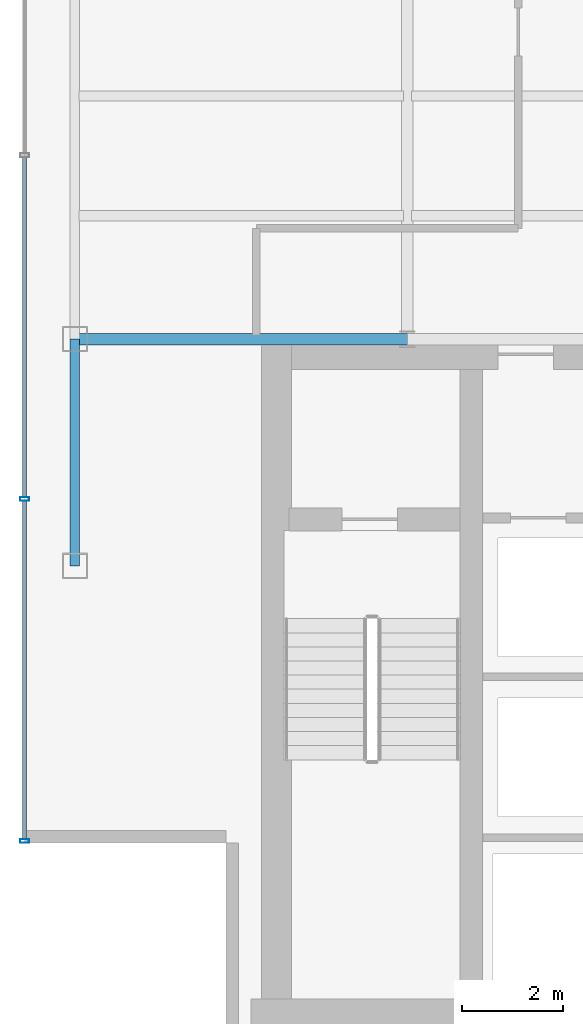
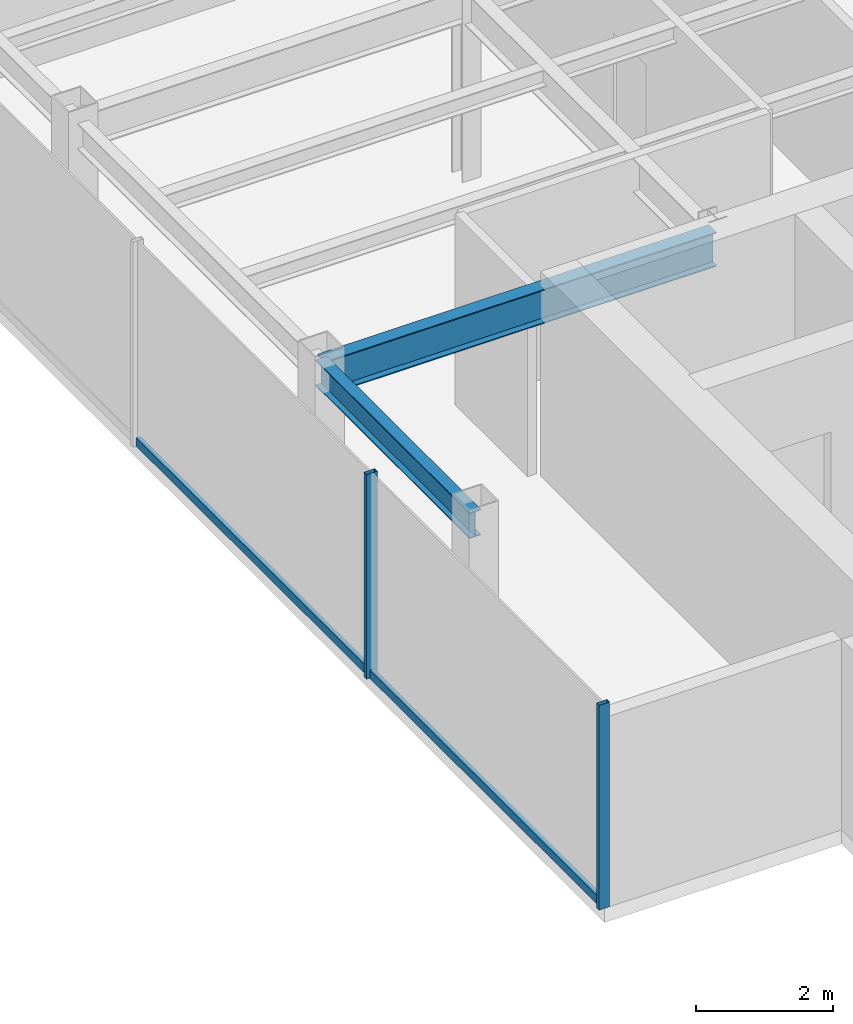
# One storey, part 3 of 22: 4 members, 2 beams, 1 element without a shape of its own.
"""IFC4 building model written with IfcOpenShell, lengths in metres."""

from ifc_helpers import new_model, si_unit, derived_unit, direction, frame, origin, origin_2d, place, context, subcontext, project, spatial, hollow_rectangle, i_section, extrude, source, transform, mapped, material, material_profile, profile_set, type_object, element, aggregate, save


model = new_model("IFC4")

# Units and contexts
model_context = context("Model", 3, precision=1e-05, world=origin(), true_north=direction((0.0, 1.0)))
body_context = subcontext(model_context, "Body", "Model", "MODEL_VIEW")
ifc_project = project(units=[si_unit("LENGTHUNIT", "METRE"), si_unit("AREAUNIT", "SQUARE_METRE"), si_unit("VOLUMEUNIT", "CUBIC_METRE"), si_unit("PLANEANGLEUNIT", "RADIAN"), si_unit("MASSUNIT", "GRAM", prefix="KILO"), derived_unit("THERMALTRANSMITTANCEUNIT", [(si_unit("POWERUNIT", "WATT"), 1), (si_unit("LENGTHUNIT", "METRE"), -2), (si_unit("THERMODYNAMICTEMPERATUREUNIT", "KELVIN"), -1)])], contexts=[model_context])

# Site, building, storey
site_placement = place(None, origin())
site = spatial("IfcSite", under=ifc_project, at=site_placement, CompositionType="ELEMENT")
building_placement = place(site_placement, origin())
building = spatial("IfcBuilding", under=site, at=building_placement, Name="Skarnbrae Concourse Arena and Tower", CompositionType="ELEMENT")
storey_placement = place(building_placement, frame((0.0, 0.0, 266.10009765625)))
storey = spatial("IfcBuildingStorey", under=building, at=storey_placement, Name="L69", CompositionType="ELEMENT", Elevation=266.10009765625)

# Beams
ifc_material_1 = material(Name="Steel CSA G40.21 350W", Category="steel")
ifc_material_profile_1 = material_profile(ifc_material_1, i_section(OverallWidth=0.22802734375, OverallDepth=0.60791015625, WebThickness=0.01123046875, FlangeThickness=0.017333984375, at=origin_2d()), Name="W610X113")
ifc_profile_set_1 = profile_set([ifc_material_profile_1], Name="Steel CSA G40.21 350W")
beam_type_1 = type_object("IfcBeamType", Name="BM-GIRD-W610X113", PredefinedType="BEAM", material=ifc_profile_set_1)
shared_shape_1 = source(origin(), body_context, "Body", "SweptSolid", [
    extrude(i_section(OverallWidth=0.22802734375, OverallDepth=0.60791015625, WebThickness=0.01123046875, FlangeThickness=0.017333984375, at=origin_2d()), origin(), (0.0, 0.0, 1.0), 6.60009765625),
])
beam_1_placement = place(storey_placement, frame((1.0, 14.0, 3.095947265625), z_axis=(1.0, 0.0, 0.0), x_axis=(0.0, 1.0, 0.0)))
element("IfcBeam", 1, at=beam_1_placement, inside=storey, type_object=beam_type_1, Name="L69 Primary E-W girder Y14.0-1", PredefinedType="BEAM", context=body_context, shape_type="MappedRepresentation", body=[
    mapped(shared_shape_1, transform((0.0, 0.0, 0.0))),
])
ifc_material_profile_2 = material_profile(ifc_material_1, i_section(OverallWidth=0.19091796875, OverallDepth=0.4599609375, WebThickness=0.010009765625, FlangeThickness=0.01611328125, at=origin_2d()), Name="W460X82")
ifc_profile_set_2 = profile_set([ifc_material_profile_2], Name="Steel CSA G40.21 350W")
beam_type_2 = type_object("IfcBeamType", Name="BM-SPAN-W460X82", PredefinedType="SPANDREL", material=ifc_profile_set_2)
shared_shape_2 = source(origin(), body_context, "Body", "SweptSolid", [
    extrude(i_section(OverallWidth=0.19091796875, OverallDepth=0.4599609375, WebThickness=0.010009765625, FlangeThickness=0.01611328125, at=origin_2d()), origin(), (0.0, 0.0, 1.0), 4.5),
])
beam_2_placement = place(storey_placement, frame((1.0, 9.5, 3.169921875), z_axis=(0.0, 1.0, 0.0), x_axis=(-1.0, 0.0, 0.0)))
element("IfcBeam", 2, at=beam_2_placement, inside=storey, type_object=beam_type_2, Name="L69 Perimeter spandrel X1.0-1", PredefinedType="SPANDREL", context=body_context, shape_type="MappedRepresentation", body=[
    mapped(shared_shape_2, transform((0.0, 0.0, 0.0))),
])

# Curtain wall, members
ifc_material_2 = material(Name="Bronze anodised aluminium 6063-T6", Category="aluminium")
curtain_wall_type = type_object("IfcCurtainWallType", Name="CW-SYS-05-HIGHZONE", PredefinedType="USERDEFINED", material=ifc_material_2)
curtain_wall_placement = place(storey_placement, origin())
curtain_wall = element("IfcCurtainWall", 3, at=curtain_wall_placement, inside=storey, type_object=curtain_wall_type, Name="L69 Unitised curtain wall CW-L69-E18", ObjectType="UNITISED CURTAIN WALL", PredefinedType="USERDEFINED")
ifc_material_profile_3 = material_profile(ifc_material_2, hollow_rectangle(XDim=0.074951171875, YDim=0.179931640625, WallThickness=0.00390625, at=origin_2d()), Name="ALU-MULL-75X180")
ifc_profile_set_3 = profile_set([ifc_material_profile_3], Name="Bronze anodised aluminium 6063-T6")
member_type_1 = type_object("IfcMemberType", Name="CWM-CW-05", PredefinedType="MULLION", material=ifc_profile_set_3)
shared_shape_3 = source(origin(), body_context, "Body", "SweptSolid", [
    extrude(hollow_rectangle(XDim=0.074951171875, YDim=0.179931640625, WallThickness=0.00390625, at=origin_2d()), origin(), (0.0, 0.0, 1.0), 3.64990234375),
])
member_1_placement = place(storey_placement, frame((0.0, 10.824951171875, 0.0), z_axis=(0.0, 0.0, 1.0), x_axis=(0.0, -1.0, 0.0)))
member_1 = element("IfcMember", 4, at=member_1_placement, type_object=member_type_1, Name="CW-L69-E18 Mullion 4", PredefinedType="MULLION", context=body_context, shape_type="MappedRepresentation", body=[
    mapped(shared_shape_3, transform((0.0, 0.0, 0.0))),
])
member_2_placement = place(storey_placement, frame((0.0, 4.03759765625, 0.0), z_axis=(0.0, 0.0, 1.0), x_axis=(0.0, -1.0, 0.0)))
member_2 = element("IfcMember", 5, at=member_2_placement, type_object=member_type_1, Name="CW-L69-E18 Mullion 5", PredefinedType="MULLION", context=body_context, shape_type="MappedRepresentation", body=[
    mapped(shared_shape_3, transform((0.0, 0.0, 0.0))),
])
ifc_material_profile_4 = material_profile(ifc_material_2, hollow_rectangle(XDim=0.074951171875, YDim=0.14990234375, WallThickness=0.00390625, at=origin_2d()), Name="ALU-TRAN-75X150")
ifc_profile_set_4 = profile_set([ifc_material_profile_4], Name="Bronze anodised aluminium 6063-T6")
member_type_2 = type_object("IfcMemberType", Name="CWT-CW-05", PredefinedType="USERDEFINED", material=ifc_profile_set_4)
shared_shape_4 = source(origin(), body_context, "Body", "SweptSolid", [
    extrude(hollow_rectangle(XDim=0.074951171875, YDim=0.14990234375, WallThickness=0.00390625, at=origin_2d()), origin(), (0.0, 0.0, 1.0), 6.712646484375),
])
member_3_placement = place(storey_placement, frame((0.0, 10.78759765625, 0.074951171875), z_axis=(0.0, -1.0, 0.0), x_axis=(1.0, 0.0, 0.0)))
member_3 = element("IfcMember", 6, at=member_3_placement, type_object=member_type_2, Name="CW-L69-E18 Transom 4", ObjectType="TRANSOM", PredefinedType="USERDEFINED", context=body_context, shape_type="MappedRepresentation", body=[
    mapped(shared_shape_4, transform((0.0, 0.0, 0.0))),
])
shared_shape_5 = source(origin(), body_context, "Body", "SweptSolid", [
    extrude(hollow_rectangle(XDim=0.074951171875, YDim=0.14990234375, WallThickness=0.00390625, at=origin_2d()), origin(), (0.0, 0.0, 1.0), 6.75),
])
member_4_placement = place(storey_placement, frame((0.0, 17.612548828125, 0.074951171875), z_axis=(0.0, -1.0, 0.0), x_axis=(1.0, 0.0, 0.0)))
member_4 = element("IfcMember", 7, at=member_4_placement, type_object=member_type_2, Name="CW-L69-E18 Transom 3", ObjectType="TRANSOM", PredefinedType="USERDEFINED", context=body_context, shape_type="MappedRepresentation", body=[
    mapped(shared_shape_5, transform((0.0, 0.0, 0.0))),
])
aggregate(curtain_wall, [member_1, member_2, member_4, member_3])

save(model, "model.ifc")
